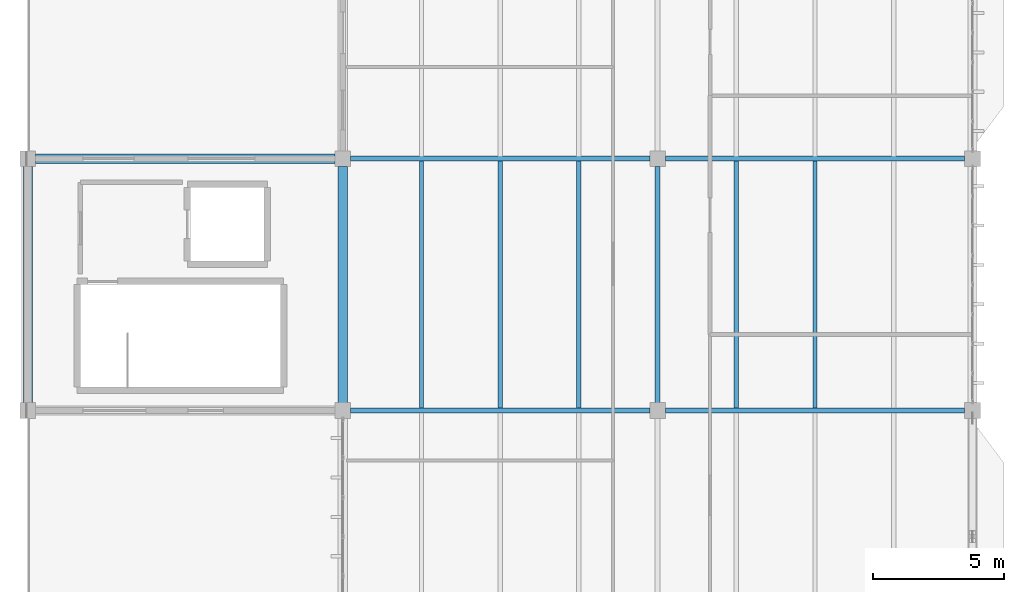
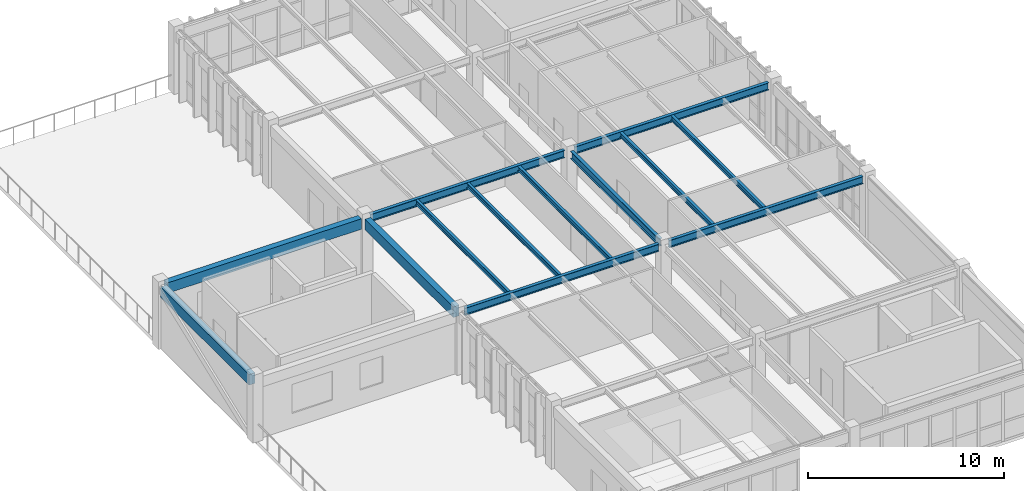
# One storey, part 9 of 28: 13 beams.
"""IFC4 building model written with IfcOpenShell, lengths in metres."""

from ifc_helpers import new_model, si_unit, direction, frame, origin, origin_2d, place, context, subcontext, project, spatial, rectangle, i_section, extrude, material, material_profile, profile_set, type_object, element, save


model = new_model("IFC4")

# Units and contexts
model_context = context("Model", 3, precision=1e-05, world=origin(), true_north=direction((0.0, 1.0)))
body_context = subcontext(model_context, "Body", "Model", "MODEL_VIEW")
ifc_project = project(units=[si_unit("LENGTHUNIT", "METRE"), si_unit("AREAUNIT", "SQUARE_METRE"), si_unit("VOLUMEUNIT", "CUBIC_METRE"), si_unit("PLANEANGLEUNIT", "RADIAN"), si_unit("MASSUNIT", "GRAM", prefix="KILO")], contexts=[model_context])

# Site, building, storey
site_placement = place(None, origin())
site = spatial("IfcSite", under=ifc_project, at=site_placement, CompositionType="ELEMENT")
building_placement = place(site_placement, origin())
building = spatial("IfcBuilding", under=site, at=building_placement, Name="Pandanus Reach Market Hall", CompositionType="ELEMENT")
storey_placement = place(building_placement, frame((0.0, 0.0, 18.60009765625)))
storey = spatial("IfcBuildingStorey", under=building, at=storey_placement, Name="L04", CompositionType="ELEMENT", Elevation=18.60009765625)

# Beams
ifc_material_1 = material(Name="Concrete N40 (40 MPa)", Category="concrete")
ifc_material_profile_1 = material_profile(ifc_material_1, rectangle(XDim=0.35009765625, YDim=0.64990234375, at=origin_2d()), Name="RC350x650", Category="LoadBearing")
ifc_profile_set_1 = profile_set([ifc_material_profile_1], Name="Concrete N40 (40 MPa)")
beam_type_1 = type_object("IfcBeamType", Name="BM-RC350-E", PredefinedType="SPANDREL", material=ifc_profile_set_1)
beam_1_placement = place(storey_placement, frame((156.0, 48.298095703125, 3.534912109375), z_axis=(0.0, 1.0, 0.0), x_axis=(-1.0, 0.0, 0.0)))
element("IfcBeam", 1, at=beam_1_placement, inside=storey, type_object=beam_type_1, Name="Framing beam BM-RC350-E L04.624", PredefinedType="SPANDREL", context=body_context, shape_type="SweptSolid", body=[
    extrude(rectangle(XDim=0.35009765625, YDim=0.64990234375, at=origin_2d()), origin(), (0.0, 0.0, 1.0), 9.00390625),
])
beam_2_placement = place(storey_placement, frame((144.298095703125, 57.60009765625, 3.534912109375), z_axis=(1.0, 0.0, 0.0), x_axis=(0.0, 1.0, 0.0)))
element("IfcBeam", 2, at=beam_2_placement, inside=storey, type_object=beam_type_1, Name="Framing beam BM-RC350-E L04.662", PredefinedType="SPANDREL", context=body_context, shape_type="SweptSolid", body=[
    extrude(rectangle(XDim=0.35009765625, YDim=0.64990234375, at=origin_2d()), origin(), (0.0, 0.0, 1.0), 11.40380859375),
])
beam_3_placement = place(storey_placement, frame((144.0, 48.298095703125, 3.534912109375), z_axis=(0.0, 1.0, 0.0), x_axis=(-1.0, 0.0, 0.0)))
element("IfcBeam", 3, at=beam_3_placement, inside=storey, type_object=beam_type_1, Name="Framing beam BM-RC350-E L04.663", PredefinedType="SPANDREL", context=body_context, shape_type="SweptSolid", body=[
    extrude(rectangle(XDim=0.35009765625, YDim=0.64990234375, at=origin_2d()), origin(), (0.0, 0.0, 1.0), 9.00390625),
])
ifc_material_2 = material(Name="Steel Grade 350 (350 MPa)", Category="steel")
ifc_material_profile_2 = material_profile(ifc_material_2, i_section(OverallWidth=0.18994140625, OverallDepth=0.45703125, WebThickness=0.009033203125, FlangeThickness=0.014404296875, at=origin_2d()), Name="460UB74.6", Category="LoadBearing")
ifc_profile_set_2 = profile_set([ifc_material_profile_2], Name="Steel Grade 350 (350 MPa)")
beam_type_2 = type_object("IfcBeamType", Name="BM-UB460-I", PredefinedType="BEAM", material=ifc_profile_set_2)
for number, where, z_axis, x_axis, name in (
    (4, (156.298095703125, 48.0, 3.631103515625), (1.0, 0.0, 0.0), (0.0, 1.0, 0.0), "Framing beam BM-UB460-I L04.614"),
    (5, (168.298095703125, 48.0, 3.631103515625), (1.0, 0.0, 0.0), (0.0, 1.0, 0.0), "Framing beam BM-UB460-I L04.615"),
    (6, (156.298095703125, 57.60009765625, 3.631103515625), (1.0, 0.0, 0.0), (0.0, 1.0, 0.0), "Framing beam BM-UB460-I L04.616"),
    (7, (168.298095703125, 57.60009765625, 3.631103515625), (1.0, 0.0, 0.0), (0.0, 1.0, 0.0), "Framing beam BM-UB460-I L04.617"),
):
    element("IfcBeam", number, at=place(storey_placement, frame(where, z_axis=z_axis, x_axis=x_axis)), inside=storey, type_object=beam_type_2, Name=name, PredefinedType="BEAM", context=body_context, shape_type="SweptSolid", body=[
        extrude(i_section(OverallWidth=0.18994140625, OverallDepth=0.45703125, WebThickness=0.009033203125, FlangeThickness=0.014404296875, at=origin_2d()), origin(), (0.0, 0.0, 1.0), 11.40380859375),
    ])
beam_4_placement = place(storey_placement, frame((168.0, 48.298095703125, 3.631103515625), z_axis=(0.0, 1.0, 0.0), x_axis=(-1.0, 0.0, 0.0)))
element("IfcBeam", 8, at=beam_4_placement, inside=storey, type_object=beam_type_2, Name="Framing beam BM-UB460-I L04.629", PredefinedType="BEAM", context=body_context, shape_type="SweptSolid", body=[
    extrude(i_section(OverallWidth=0.18994140625, OverallDepth=0.45703125, WebThickness=0.009033203125, FlangeThickness=0.014404296875, at=origin_2d()), origin(), (0.0, 0.0, 1.0), 9.00390625),
])
ifc_material_profile_3 = material_profile(ifc_material_2, i_section(OverallWidth=0.1650390625, OverallDepth=0.303955078125, WebThickness=0.006103515625, FlangeThickness=0.01025390625, at=origin_2d()), Name="310UB40.4", Category="LoadBearing")
ifc_profile_set_3 = profile_set([ifc_material_profile_3], Name="Steel Grade 350 (350 MPa)")
beam_type_3 = type_object("IfcBeamType", Name="JS-UB310-I", PredefinedType="JOIST", material=ifc_profile_set_3)
for number, where, z_axis, x_axis, name in (
    (9, (159.0, 48.093017578125, 3.70751953125), (0.0, 1.0, 0.0), (-1.0, 0.0, 0.0), "Secondary joist JS-UB310-I L04.643"),
    (10, (162.0, 48.093017578125, 3.70751953125), (0.0, 1.0, 0.0), (-1.0, 0.0, 0.0), "Secondary joist JS-UB310-I L04.644"),
    (11, (165.0, 48.093017578125, 3.70751953125), (0.0, 1.0, 0.0), (-1.0, 0.0, 0.0), "Secondary joist JS-UB310-I L04.645"),
    (12, (171.0, 48.093017578125, 3.70751953125), (0.0, 1.0, 0.0), (-1.0, 0.0, 0.0), "Secondary joist JS-UB310-I L04.655"),
    (13, (174.0, 48.093017578125, 3.70751953125), (0.0, 1.0, 0.0), (-1.0, 0.0, 0.0), "Secondary joist JS-UB310-I L04.656"),
):
    element("IfcBeam", number, at=place(storey_placement, frame(where, z_axis=z_axis, x_axis=x_axis)), inside=storey, type_object=beam_type_3, Name=name, PredefinedType="JOIST", context=body_context, shape_type="SweptSolid", body=[
        extrude(i_section(OverallWidth=0.1650390625, OverallDepth=0.303955078125, WebThickness=0.006103515625, FlangeThickness=0.01025390625, at=origin_2d()), origin(), (0.0, 0.0, 1.0), 9.4140625),
    ])

save(model, "model.ifc")
